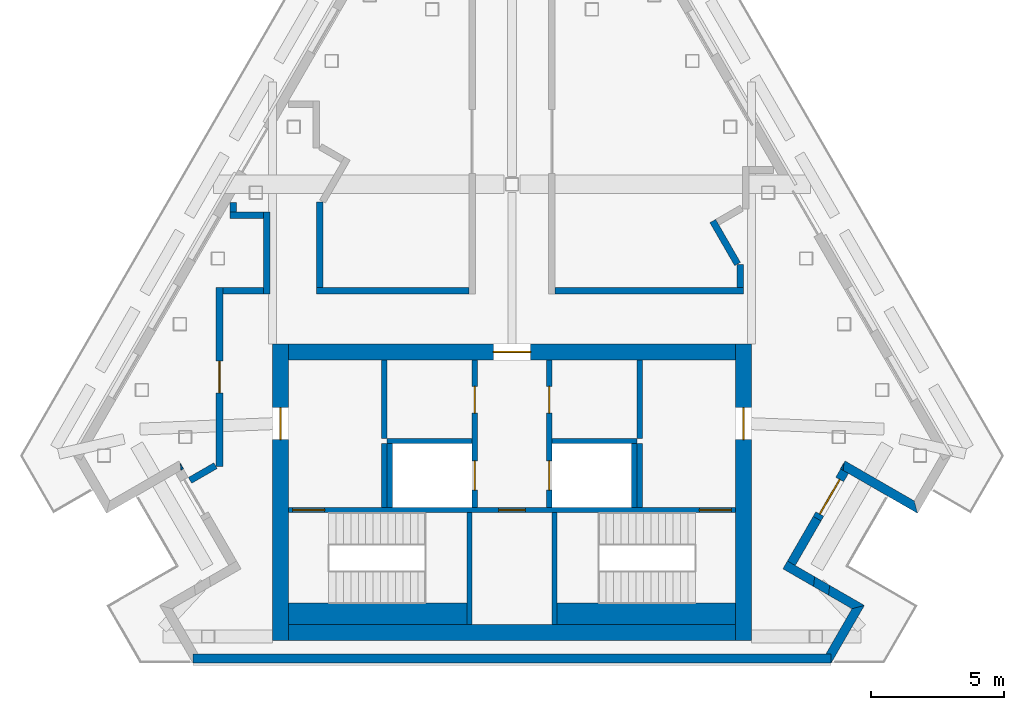
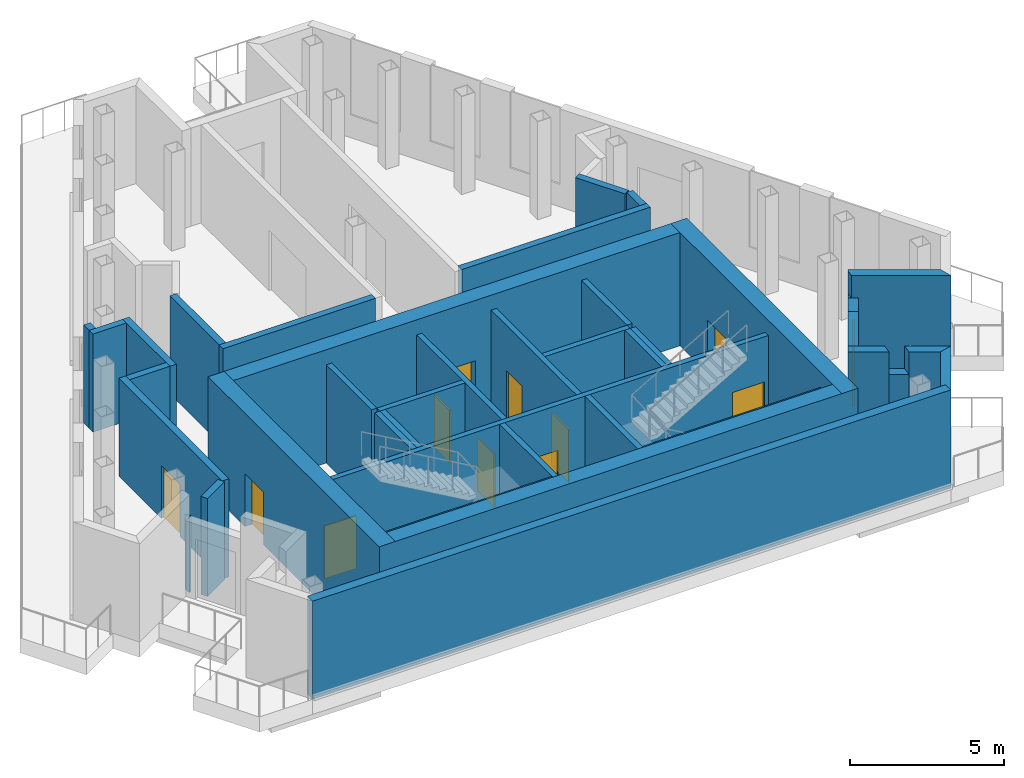
# One storey, part 2 of 4: 40 walls, 12 doors, 12 openings.
"""IFC4 building model written with IfcOpenShell, lengths in metres."""

from ifc_helpers import new_model, si_unit, direction, frame, frame_2d, origin, place, context, subcontext, project, spatial, polyline, rectangle, outline, extrude, material, layer, layer_set, type_object, element, fill, save


model = new_model("IFC4")

# Units and contexts
model_context = context("Model", 3, precision=1e-05, world=origin(), true_north=direction((0.0, 1.0)))
body_context = subcontext(model_context, "Body", "Model", "MODEL_VIEW")
ifc_project = project(units=[si_unit("LENGTHUNIT", "METRE"), si_unit("AREAUNIT", "SQUARE_METRE"), si_unit("VOLUMEUNIT", "CUBIC_METRE"), si_unit("PLANEANGLEUNIT", "RADIAN"), si_unit("MASSUNIT", "GRAM", prefix="KILO")], contexts=[model_context])

# Site, building, storey
site_placement = place(None, origin())
site = spatial("IfcSite", under=ifc_project, at=site_placement, CompositionType="ELEMENT")
building_placement = place(site_placement, origin())
building = spatial("IfcBuilding", under=site, at=building_placement, Name="Fogline Exchange Tower", CompositionType="ELEMENT")
storey_placement = place(building_placement, frame((0.0, 0.0, 355.10009765625)))
storey = spatial("IfcBuildingStorey", under=building, at=storey_placement, Name="L80", CompositionType="ELEMENT", Elevation=355.10009765625)

# Wall, openings, doors
ifc_material_1 = material(Name="Concrete C40", Category="concrete")
ifc_layer_1 = layer(ifc_material_1, 0.199951171875)
ifc_layer_set_1 = layer_set([ifc_layer_1], Name="CW20")
wall_type_1 = type_object("IfcWallType", Name="CW20", PredefinedType="SOLIDWALL", material=ifc_layer_set_1)
wall_1_placement = place(storey_placement, frame((-1.39990234375, 5.85009765625, 0.0), z_axis=(0.0, 0.0, 1.0), x_axis=(0.0, 1.0, 0.0)))
wall_1 = element("IfcWall", 1, at=wall_1_placement, inside=storey, type_object=wall_type_1, Name="Lift lobby wall", PredefinedType="SOLIDWALL", context=body_context, shape_type="SweptSolid", body=[
    extrude(rectangle(XDim=5.5498046875, YDim=0.199951171875, at=frame_2d((2.77490234375, 0.0))), origin(), (0.0, 0.0, 1.0), 3.89990234375),
])
opening_1_placement = place(wall_1_placement, frame((0.64990234375, 0.0, 0.0)))
opening_1 = element("IfcOpeningElement", 2, at=opening_1_placement, cuts=wall_1, Name="Opening L80-LD01", PredefinedType="OPENING", context=body_context, shape_type="SweptSolid", body=[
    extrude(rectangle(XDim=1.10009765625, YDim=2.10009765625, at=frame_2d((0.550048828125, 1.050048828125))), frame((0.0, 0.10986328125, 0.0), z_axis=(0.0, -1.0, 0.0), x_axis=(1.0, 0.0, 0.0)), (0.0, 0.0, 1.0), 0.219970703125),
])
opening_2_placement = place(wall_1_placement, frame((3.550048828125, 0.0, 0.0)))
opening_2 = element("IfcOpeningElement", 3, at=opening_2_placement, cuts=wall_1, Name="Opening L80-C004", PredefinedType="OPENING", context=body_context, shape_type="SweptSolid", body=[
    extrude(rectangle(XDim=1.0, YDim=2.10009765625, at=frame_2d((0.5, 1.050048828125))), frame((0.0, 0.10986328125, 0.0), z_axis=(0.0, -1.0, 0.0), x_axis=(1.0, 0.0, 0.0)), (0.0, 0.0, 1.0), 0.219970703125),
])
ifc_material_2 = material(Name="Steel and timber fire door", Category="steel")
door_type_1 = type_object("IfcDoorType", Name="D-RM1", OperationType="SINGLE_SWING_LEFT", PredefinedType="DOOR", material=ifc_material_2)
door_1_placement = place(opening_2_placement, origin())
door_1 = element("IfcDoor", 4, at=door_1_placement, inside=storey, type_object=door_type_1, Name="Door to store", OperationType="SINGLE_SWING_LEFT", OverallHeight=2.10009765625, OverallWidth=1.0, PredefinedType="DOOR", context=body_context, shape_type="SweptSolid", body=[
    extrude(rectangle(XDim=1.0, YDim=2.10009765625, at=frame_2d((0.5, 1.050048828125))), frame((0.0, 0.02490234375, 0.0), z_axis=(0.0, -1.0, 0.0), x_axis=(1.0, 0.0, 0.0)), (0.0, 0.0, 1.0), 0.050048828125),
])
fill(opening_2, door_1)
door_type_2 = type_object("IfcDoorType", Name="LD2", OperationType="SLIDING_TO_RIGHT", PredefinedType="DOOR", material=ifc_material_2)
door_2_placement = place(opening_1_placement, origin())
door_2 = element("IfcDoor", 5, at=door_2_placement, inside=storey, type_object=door_type_2, Name="Landing door FF1", OperationType="SLIDING_TO_RIGHT", OverallHeight=2.10009765625, OverallWidth=1.10009765625, PredefinedType="DOOR", context=body_context, shape_type="SweptSolid", body=[
    extrude(rectangle(XDim=1.10009765625, YDim=2.10009765625, at=frame_2d((0.550048828125, 1.050048828125))), frame((0.0, 0.02490234375, 0.0), z_axis=(0.0, -1.0, 0.0), x_axis=(1.0, 0.0, 0.0)), (0.0, 0.0, 1.0), 0.050048828125),
])
fill(opening_1, door_2)

wall_2_placement = place(storey_placement, frame((1.39990234375, 5.85009765625, 0.0), z_axis=(0.0, 0.0, 1.0), x_axis=(0.0, 1.0, 0.0)))
wall_2 = element("IfcWall", 6, at=wall_2_placement, inside=storey, type_object=wall_type_1, Name="Lift lobby wall", PredefinedType="SOLIDWALL", context=body_context, shape_type="SweptSolid", body=[
    extrude(rectangle(XDim=5.5498046875, YDim=0.199951171875, at=frame_2d((2.77490234375, 0.0))), origin(), (0.0, 0.0, 1.0), 3.89990234375),
])
opening_3_placement = place(wall_2_placement, frame((0.64990234375, 0.0, 0.0)))
opening_3 = element("IfcOpeningElement", 7, at=opening_3_placement, cuts=wall_2, Name="Opening L80-LD02", PredefinedType="OPENING", context=body_context, shape_type="SweptSolid", body=[
    extrude(rectangle(XDim=1.10009765625, YDim=2.10009765625, at=frame_2d((0.550048828125, 1.050048828125))), frame((0.0, 0.10986328125, 0.0), z_axis=(0.0, -1.0, 0.0), x_axis=(1.0, 0.0, 0.0)), (0.0, 0.0, 1.0), 0.219970703125),
])
opening_4_placement = place(wall_2_placement, frame((3.550048828125, 0.0, 0.0)))
opening_4 = element("IfcOpeningElement", 8, at=opening_4_placement, cuts=wall_2, Name="Opening L80-C007", PredefinedType="OPENING", context=body_context, shape_type="SweptSolid", body=[
    extrude(rectangle(XDim=1.0, YDim=2.10009765625, at=frame_2d((0.5, 1.050048828125))), frame((0.0, 0.10986328125, 0.0), z_axis=(0.0, -1.0, 0.0), x_axis=(1.0, 0.0, 0.0)), (0.0, 0.0, 1.0), 0.219970703125),
])
door_3_placement = place(opening_4_placement, frame((1.0, 0.0, 0.0), z_axis=(0.0, 0.0, 1.0), x_axis=(-1.0, 0.0, 0.0)))
door_3 = element("IfcDoor", 9, at=door_3_placement, inside=storey, type_object=door_type_1, Name="Door to store", OperationType="SINGLE_SWING_RIGHT", OverallHeight=2.10009765625, OverallWidth=1.0, PredefinedType="DOOR", context=body_context, shape_type="SweptSolid", body=[
    extrude(rectangle(XDim=1.0, YDim=2.10009765625, at=frame_2d((0.5, 1.050048828125))), frame((0.0, 0.02490234375, 0.0), z_axis=(0.0, -1.0, 0.0), x_axis=(1.0, 0.0, 0.0)), (0.0, 0.0, 1.0), 0.050048828125),
])
fill(opening_4, door_3)
door_4_placement = place(opening_3_placement, origin())
door_4 = element("IfcDoor", 10, at=door_4_placement, inside=storey, type_object=door_type_2, Name="Landing door FF2", OperationType="SLIDING_TO_RIGHT", OverallHeight=2.10009765625, OverallWidth=1.10009765625, PredefinedType="DOOR", context=body_context, shape_type="SweptSolid", body=[
    extrude(rectangle(XDim=1.10009765625, YDim=2.10009765625, at=frame_2d((0.550048828125, 1.050048828125))), frame((0.0, 0.02490234375, 0.0), z_axis=(0.0, -1.0, 0.0), x_axis=(1.0, 0.0, 0.0)), (0.0, 0.0, 1.0), 0.050048828125),
])
fill(opening_3, door_4)

# Walls
for number, where, z_axis, x_axis, name in (
    (11, (-4.60009765625, 5.85009765625, 0.0), (0.0, 0.0, 1.0), (0.0, 1.0, 0.0), "Lift shaft wall"),
    (12, (4.60009765625, 5.85009765625, 0.0), (0.0, 0.0, 1.0), (0.0, 1.0, 0.0), "Lift shaft wall"),
):
    element("IfcWall", number, at=place(storey_placement, frame(where, z_axis=z_axis, x_axis=x_axis)), inside=storey, type_object=wall_type_1, Name=name, PredefinedType="SOLIDWALL", context=body_context, shape_type="SweptSolid", body=[
        extrude(rectangle(XDim=2.39990234375, YDim=0.199951171875, at=frame_2d((1.199951171875, 0.0))), origin(), (0.0, 0.0, 1.0), 3.89990234375),
    ])
for number, where, z_axis, x_axis, name in (
    (13, (-4.699951171875, 8.35009765625, 0.0), (0.0, 0.0, 1.0), (1.0, 0.0, 0.0), "Lift shaft wall"),
    (14, (1.5, 8.35009765625, 0.0), (0.0, 0.0, 1.0), (1.0, 0.0, 0.0), "Lift shaft wall"),
):
    element("IfcWall", number, at=place(storey_placement, frame(where, z_axis=z_axis, x_axis=x_axis)), inside=storey, type_object=wall_type_1, Name=name, PredefinedType="SOLIDWALL", context=body_context, shape_type="SweptSolid", body=[
        extrude(rectangle(XDim=3.199951171875, YDim=0.199951171875, at=frame_2d((1.60009765625, 0.0))), origin(), (0.0, 0.0, 1.0), 3.89990234375),
    ])
for number, where, z_axis, x_axis, name in (
    (15, (-4.800048828125, 8.449951171875, 0.0), (0.0, 0.0, 1.0), (0.0, 1.0, 0.0), "Room wall"),
    (16, (4.800048828125, 8.449951171875, 0.0), (0.0, 0.0, 1.0), (0.0, 1.0, 0.0), "Room wall"),
):
    element("IfcWall", number, at=place(storey_placement, frame(where, z_axis=z_axis, x_axis=x_axis)), inside=storey, type_object=wall_type_1, Name=name, PredefinedType="SOLIDWALL", context=body_context, shape_type="SweptSolid", body=[
        extrude(rectangle(XDim=2.949951171875, YDim=0.199951171875, at=frame_2d((1.47509765625, 0.0))), origin(), (0.0, 0.0, 1.0), 3.89990234375),
    ])
for number, where, z_axis, x_axis, name in (
    (17, (-4.800048828125, 5.85009765625, 0.0), (0.0, 0.0, 1.0), (0.0, 1.0, 0.0), "Room wall"),
    (18, (4.800048828125, 5.85009765625, 0.0), (0.0, 0.0, 1.0), (0.0, 1.0, 0.0), "Room wall"),
):
    element("IfcWall", number, at=place(storey_placement, frame(where, z_axis=z_axis, x_axis=x_axis)), inside=storey, type_object=wall_type_1, Name=name, PredefinedType="SOLIDWALL", context=body_context, shape_type="SweptSolid", body=[
        extrude(rectangle(XDim=2.39990234375, YDim=0.199951171875, at=frame_2d((1.199951171875, 0.0))), origin(), (0.0, 0.0, 1.0), 3.89990234375),
    ])

# Wall, openings, doors
ifc_layer_2 = layer(ifc_material_1, 0.199951171875)
ifc_layer_set_2 = layer_set([ifc_layer_2], Name="CW20R")
wall_type_2 = type_object("IfcWallType", Name="CW20R", PredefinedType="SOLIDWALL", material=ifc_layer_set_2)
wall_3_placement = place(storey_placement, frame((-8.39990234375, 5.75, -0.60009765625), z_axis=(0.0, 0.0, 1.0), x_axis=(1.0, 0.0, 0.0)))
wall_3 = element("IfcWall", 19, at=wall_3_placement, inside=storey, type_object=wall_type_2, Name="Stair enclosure wall", PredefinedType="SOLIDWALL", context=body_context, shape_type="SweptSolid", body=[
    extrude(rectangle(XDim=16.7998046875, YDim=0.199951171875, at=frame_2d((8.39990234375, 0.0))), origin(), (0.0, 0.0, 1.0), 4.5),
])
opening_5_placement = place(wall_3_placement, frame((7.89990234375, 0.0, 0.60009765625)))
opening_5 = element("IfcOpeningElement", 20, at=opening_5_placement, cuts=wall_3, Name="Opening L80-C001", PredefinedType="OPENING", context=body_context, shape_type="SweptSolid", body=[
    extrude(rectangle(XDim=1.0, YDim=2.10009765625, at=frame_2d((0.5, 1.050048828125))), frame((0.0, 0.10986328125, 0.0), z_axis=(0.0, -1.0, 0.0), x_axis=(1.0, 0.0, 0.0)), (0.0, 0.0, 1.0), 0.219970703125),
])
opening_6_placement = place(wall_3_placement, frame((0.14990234375, 0.0, 0.60009765625)))
opening_6 = element("IfcOpeningElement", 21, at=opening_6_placement, cuts=wall_3, Name="Opening L80-C003", PredefinedType="OPENING", context=body_context, shape_type="SweptSolid", body=[
    extrude(rectangle(XDim=1.199951171875, YDim=2.10009765625, at=frame_2d((0.60009765625, 1.050048828125))), frame((0.0, 0.10986328125, 0.0), z_axis=(0.0, -1.0, 0.0), x_axis=(1.0, 0.0, 0.0)), (0.0, 0.0, 1.0), 0.219970703125),
])
opening_7_placement = place(wall_3_placement, frame((15.449951171875, 0.0, 0.60009765625)))
opening_7 = element("IfcOpeningElement", 22, at=opening_7_placement, cuts=wall_3, Name="Opening L80-C006", PredefinedType="OPENING", context=body_context, shape_type="SweptSolid", body=[
    extrude(rectangle(XDim=1.199951171875, YDim=2.10009765625, at=frame_2d((0.60009765625, 1.050048828125))), frame((0.0, 0.10986328125, 0.0), z_axis=(0.0, -1.0, 0.0), x_axis=(1.0, 0.0, 0.0)), (0.0, 0.0, 1.0), 0.219970703125),
])
door_5_placement = place(opening_5_placement, frame((1.0, 0.0, 0.0), z_axis=(0.0, 0.0, 1.0), x_axis=(-1.0, 0.0, 0.0)))
door_5 = element("IfcDoor", 23, at=door_5_placement, inside=storey, type_object=door_type_1, Name="Door to Riser Room", OperationType="SINGLE_SWING_RIGHT", OverallHeight=2.10009765625, OverallWidth=1.0, PredefinedType="DOOR", context=body_context, shape_type="SweptSolid", body=[
    extrude(rectangle(XDim=1.0, YDim=2.10009765625, at=frame_2d((0.5, 1.050048828125))), frame((0.0, 0.02490234375, 0.0), z_axis=(0.0, -1.0, 0.0), x_axis=(1.0, 0.0, 0.0)), (0.0, 0.0, 1.0), 0.050048828125),
])
fill(opening_5, door_5)
door_type_3 = type_object("IfcDoorType", Name="D-ST1", OperationType="SINGLE_SWING_LEFT", PredefinedType="DOOR", material=ifc_material_2)
door_6_placement = place(opening_6_placement, frame((1.199951171875, 0.0, 0.0), z_axis=(0.0, 0.0, 1.0), x_axis=(-1.0, 0.0, 0.0)))
door_6 = element("IfcDoor", 24, at=door_6_placement, inside=storey, type_object=door_type_3, Name="Stair door CS1", OperationType="SINGLE_SWING_RIGHT", OverallHeight=2.10009765625, OverallWidth=1.199951171875, PredefinedType="DOOR", context=body_context, shape_type="SweptSolid", body=[
    extrude(rectangle(XDim=1.199951171875, YDim=2.10009765625, at=frame_2d((0.60009765625, 1.050048828125))), frame((0.0, 0.02490234375, 0.0), z_axis=(0.0, -1.0, 0.0), x_axis=(1.0, 0.0, 0.0)), (0.0, 0.0, 1.0), 0.050048828125),
])
fill(opening_6, door_6)
door_7_placement = place(opening_7_placement, frame((1.199951171875, 0.0, 0.0), z_axis=(0.0, 0.0, 1.0), x_axis=(-1.0, 0.0, 0.0)))
door_7 = element("IfcDoor", 25, at=door_7_placement, inside=storey, type_object=door_type_3, Name="Stair door CS2", OperationType="SINGLE_SWING_LEFT", OverallHeight=2.10009765625, OverallWidth=1.199951171875, PredefinedType="DOOR", context=body_context, shape_type="SweptSolid", body=[
    extrude(rectangle(XDim=1.199951171875, YDim=2.10009765625, at=frame_2d((0.60009765625, 1.050048828125))), frame((0.0, 0.02490234375, 0.0), z_axis=(0.0, -1.0, 0.0), x_axis=(1.0, 0.0, 0.0)), (0.0, 0.0, 1.0), 0.050048828125),
])
fill(opening_7, door_7)

# Walls
for number, where, z_axis, x_axis, name in (
    (26, (-1.60009765625, 1.449951171875, -0.60009765625), (0.0, 0.0, 1.0), (0.0, 1.0, 0.0), "Stair enclosure wall"),
    (27, (1.60009765625, 1.449951171875, -0.60009765625), (0.0, 0.0, 1.0), (0.0, 1.0, 0.0), "Stair enclosure wall"),
):
    element("IfcWall", number, at=place(storey_placement, frame(where, z_axis=z_axis, x_axis=x_axis)), inside=storey, type_object=wall_type_2, Name=name, PredefinedType="SOLIDWALL", context=body_context, shape_type="SweptSolid", body=[
        extrude(rectangle(XDim=4.199951171875, YDim=0.199951171875, at=frame_2d((2.10009765625, 0.0))), origin(), (0.0, 0.0, 1.0), 4.5),
    ])
ifc_layer_3 = layer(ifc_material_1, 0.800048828125)
ifc_layer_set_3 = layer_set([ifc_layer_3], Name="CW80R")
wall_type_3 = type_object("IfcWallType", Name="CW80R", PredefinedType="SOLIDWALL", material=ifc_layer_set_3)
for number, where, z_axis, x_axis, name in (
    (28, (-8.39990234375, 1.85009765625, -0.60009765625), (0.0, 0.0, 1.0), (1.0, 0.0, 0.0), "Stair enclosure wall"),
    (29, (1.699951171875, 1.85009765625, -0.60009765625), (0.0, 0.0, 1.0), (1.0, 0.0, 0.0), "Stair enclosure wall"),
):
    element("IfcWall", number, at=place(storey_placement, frame(where, z_axis=z_axis, x_axis=x_axis)), inside=storey, type_object=wall_type_3, Name=name, PredefinedType="SOLIDWALL", context=body_context, shape_type="SweptSolid", body=[
        extrude(rectangle(XDim=6.699951171875, YDim=0.800048828125, at=frame_2d((3.35009765625, 0.0))), origin(), (0.0, 0.0, 1.0), 4.5),
    ])
ifc_material_3 = material(Name="Brick masonry", Category="masonry")
ifc_layer_4 = layer(ifc_material_3, 0.340087890625)
ifc_layer_set_4 = layer_set([ifc_layer_4], Name="FW1")
wall_type_4 = type_object("IfcWallType", Name="FW1", PredefinedType="SOLIDWALL", material=ifc_layer_set_4)
wall_4_placement = place(storey_placement, origin())
element("IfcWall", 30, at=wall_4_placement, inside=storey, type_object=wall_type_4, Name="Brick wall L80 SW-s1", PredefinedType="SOLIDWALL", context=body_context, shape_type="SweptSolid", body=[
    extrude(outline(polyline([(-12.356689453125, 7.298828125), (-12.4443359375, 7.248291015625), (-12.473388671875, 7.501220703125), (-12.356689453125, 7.298828125)])), origin(), (0.0, 0.0, 1.0), 3.0),
])
wall_5_placement = place(storey_placement, frame((-12.0, 0.169921875, 0.0), z_axis=(0.0, 0.0, 1.0), x_axis=(1.0, 0.0, 0.0)))
element("IfcWall", 31, at=wall_5_placement, inside=storey, type_object=wall_type_4, Name="Brick wall L80 S", PredefinedType="SOLIDWALL", context=body_context, shape_type="SweptSolid", body=[
    extrude(rectangle(XDim=24.0, YDim=0.340087890625, at=frame_2d((12.0, 0.0))), origin(), (0.0, 0.0, 1.0), 3.89990234375),
])
wall_6_placement = place(storey_placement, origin())
element("IfcWall", 32, at=wall_6_placement, inside=storey, type_object=wall_type_4, Name="Brick wall L80 SE-c1", PredefinedType="SOLIDWALL", context=body_context, shape_type="SweptSolid", body=[
    extrude(outline(polyline([(13.2509765625, 2.165771484375), (12.0, -0.001220703125), (11.99951171875, -0.0009765625), (11.99951171875, 0.33935546875), (11.802734375, 0.33935546875), (12.78515625, 2.041015625), (13.2509765625, 2.166015625), (13.2509765625, 2.165771484375)])), origin(), (0.0, 0.0, 1.0), 3.89990234375),
])
wall_7_placement = place(storey_placement, origin())
element("IfcWall", 33, at=wall_7_placement, inside=storey, type_object=wall_type_4, Name="Brick wall L80 SE-s1", PredefinedType="SOLIDWALL", context=body_context, shape_type="SweptSolid", body=[
    extrude(outline(polyline([(11.945556640625, 2.9189453125), (11.903076171875, 2.549560546875), (11.336669921875, 2.87646484375), (11.37939453125, 3.245849609375), (11.945556640625, 2.9189453125)])), origin(), (0.0, 0.0, 1.0), 3.0),
])
wall_8_placement = place(storey_placement, origin())
element("IfcWall", 34, at=wall_8_placement, inside=storey, type_object=wall_type_4, Name="Brick wall L80 SE-s1", PredefinedType="SOLIDWALL", context=body_context, shape_type="SweptSolid", body=[
    extrude(outline(polyline([(10.357177734375, 3.8359375), (10.652099609375, 3.66552734375), (11.37939453125, 3.245849609375), (11.336669921875, 2.87646484375), (10.186767578125, 3.540283203125), (10.357177734375, 3.8359375)])), origin(), (0.0, 0.0, 1.0), 3.89990234375),
])
wall_9_placement = place(storey_placement, origin())
element("IfcWall", 35, at=wall_9_placement, inside=storey, type_object=wall_type_4, Name="Brick wall L80 SE-s1", PredefinedType="SOLIDWALL", context=body_context, shape_type="SweptSolid", body=[
    extrude(outline(polyline([(13.251220703125, 2.1650390625), (13.251220703125, 2.164794921875), (12.785400390625, 2.0400390625), (11.903076171875, 2.549560546875), (11.945556640625, 2.9189453125), (13.251220703125, 2.1650390625)])), origin(), (0.0, 0.0, 1.0), 3.89990234375),
])
wall_10_placement = place(storey_placement, frame((10.504638671875, 3.75, 0.0), z_axis=(0.0, 0.0, 1.0), x_axis=(0.499973253207, 0.866040845502, 0.0)))
element("IfcWall", 36, at=wall_10_placement, inside=storey, type_object=wall_type_4, Name="Brick wall L80 SE-bk", PredefinedType="SOLIDWALL", context=body_context, shape_type="SweptSolid", body=[
    extrude(rectangle(XDim=1.93798828125, YDim=0.340087890625, at=frame_2d((0.968994140625, 0.0))), origin(), (0.0, 0.0, 1.0), 3.89990234375),
])

# Wall, opening, door
wall_11_placement = place(storey_placement, frame((11.4736328125, 5.428466796875, 0.0), z_axis=(0.0, 0.0, 1.0), x_axis=(0.500023100387, 0.866012066359, 0.0)))
wall_11 = element("IfcWall", 37, at=wall_11_placement, inside=storey, type_object=wall_type_4, Name="Brick wall L80 SE-bk", PredefinedType="SOLIDWALL", context=body_context, shape_type="SweptSolid", body=[
    extrude(rectangle(XDim=2.06201171875, YDim=0.340087890625, at=frame_2d((1.031005859375, 0.0))), origin(), (0.0, 0.0, 1.0), 3.0),
])
opening_8_placement = place(wall_11_placement, frame((0.199951171875, 0.0, 0.0)))
opening_8 = element("IfcOpeningElement", 38, at=opening_8_placement, cuts=wall_11, Name="Opening L80-E081", PredefinedType="OPENING", context=body_context, shape_type="SweptSolid", body=[
    extrude(rectangle(XDim=1.5, YDim=2.39990234375, at=frame_2d((0.75, 1.199951171875))), frame((0.0, 0.18017578125, 0.0), z_axis=(0.0, -1.0, 0.0), x_axis=(1.0, 0.0, 0.0)), (0.0, 0.0, 1.0), 0.360107421875),
])
ifc_material_4 = material(Name="Aluminium and glass", Category="aluminium")
door_type_4 = type_object("IfcDoorType", Name="ED4", OperationType="SINGLE_SWING_LEFT", PredefinedType="DOOR", material=ifc_material_4)
door_8_placement = place(opening_8_placement, frame((1.5, 0.0, 0.0), z_axis=(0.0, 0.0, 1.0), x_axis=(-1.0, 0.0, 0.0)))
door_8 = element("IfcDoor", 39, at=door_8_placement, inside=storey, type_object=door_type_4, Name="Balcony door L80 SE", OperationType="DOUBLE_DOOR_SINGLE_SWING", OverallHeight=2.39990234375, OverallWidth=1.5, PredefinedType="DOOR", context=body_context, shape_type="SweptSolid", body=[
    extrude(rectangle(XDim=1.5, YDim=2.39990234375, at=frame_2d((0.75, 1.199951171875))), frame((0.0, 0.02490234375, 0.0), z_axis=(0.0, -1.0, 0.0), x_axis=(1.0, 0.0, 0.0)), (0.0, 0.0, 1.0), 0.050048828125),
])
fill(opening_8, door_8)

# Walls
wall_12_placement = place(storey_placement, origin())
element("IfcWall", 40, at=wall_12_placement, inside=storey, type_object=wall_type_4, Name="Brick wall L80 SE-s2", PredefinedType="SOLIDWALL", context=body_context, shape_type="SweptSolid", body=[
    extrude(outline(polyline([(12.356689453125, 7.298828125), (12.473388671875, 7.501220703125), (12.4443359375, 7.248291015625), (12.356689453125, 7.298828125)])), origin(), (0.0, 0.0, 1.0), 3.0),
])
wall_13_placement = place(storey_placement, origin())
element("IfcWall", 41, at=wall_13_placement, inside=storey, type_object=wall_type_4, Name="Brick wall L80 SE-s2", PredefinedType="SOLIDWALL", context=body_context, shape_type="SweptSolid", body=[
    extrude(outline(polyline([(12.651611328125, 7.128662109375), (12.4443359375, 7.248291015625), (12.473388671875, 7.501220703125), (12.52734375, 7.594482421875), (15.1259765625, 6.093994140625), (15.250732421875, 5.62841796875), (15.25048828125, 5.628173828125), (12.651611328125, 7.128662109375)])), origin(), (0.0, 0.0, 1.0), 3.89990234375),
])
ifc_layer_5 = layer(ifc_material_1, 0.25)
ifc_layer_set_5 = layer_set([ifc_layer_5], Name="PP3")
wall_type_5 = type_object("IfcWallType", Name="PP3", PredefinedType="SOLIDWALL", material=ifc_layer_set_5)
wall_14_placement = place(storey_placement, frame((1.625, 14.0, 0.0), z_axis=(0.0, 0.0, 1.0), x_axis=(1.0, 0.0, 0.0)))
element("IfcWall", 42, at=wall_14_placement, inside=storey, type_object=wall_type_5, Name="PP3 partition", PredefinedType="SOLIDWALL", context=body_context, shape_type="SweptSolid", body=[
    extrude(rectangle(XDim=7.085205078125, YDim=0.25, at=frame_2d((3.54248046875, 0.0))), origin(), (0.0, 0.0, 1.0), 3.89990234375),
])

# Wall, opening, door
wall_15_placement = place(storey_placement, frame((-11.0, 7.380615234375, 0.0), z_axis=(0.0, 0.0, 1.0), x_axis=(0.0, 1.0, 0.0)))
wall_15 = element("IfcWall", 43, at=wall_15_placement, inside=storey, type_object=wall_type_5, Name="PP3 partition", PredefinedType="SOLIDWALL", context=body_context, shape_type="SweptSolid", body=[
    extrude(rectangle(XDim=6.744384765625, YDim=0.25, at=frame_2d((3.3720703125, 0.0))), origin(), (0.0, 0.0, 1.0), 3.89990234375),
])
opening_9_placement = place(wall_15_placement, frame((2.772216796875, 0.0, 0.0)))
opening_9 = element("IfcOpeningElement", 44, at=opening_9_placement, cuts=wall_15, Name="Opening L80-D003", PredefinedType="OPENING", context=body_context, shape_type="SweptSolid", body=[
    extrude(rectangle(XDim=1.199951171875, YDim=2.10009765625, at=frame_2d((0.60009765625, 1.050048828125))), frame((0.0, 0.135009765625, 0.0), z_axis=(0.0, -1.0, 0.0), x_axis=(1.0, 0.0, 0.0)), (0.0, 0.0, 1.0), 0.27001953125),
])
ifc_material_5 = material(Name="Steel Q235B", Category="steel")
door_type_5 = type_object("IfcDoorType", Name="PD7", OperationType="SINGLE_SWING_LEFT", PredefinedType="DOOR", material=ifc_material_5)
door_9_placement = place(opening_9_placement, origin())
door_9 = element("IfcDoor", 45, at=door_9_placement, inside=storey, type_object=door_type_5, Name="L80-D003", OperationType="SINGLE_SWING_RIGHT", OverallHeight=2.10009765625, OverallWidth=1.199951171875, PredefinedType="DOOR", context=body_context, shape_type="SweptSolid", body=[
    extrude(rectangle(XDim=1.199951171875, YDim=2.10009765625, at=frame_2d((0.60009765625, 1.050048828125))), frame((0.0, 0.02490234375, 0.0), z_axis=(0.0, -1.0, 0.0), x_axis=(1.0, 0.0, 0.0)), (0.0, 0.0, 1.0), 0.050048828125),
])
fill(opening_9, door_9)

# Walls
wall_16_placement = place(storey_placement, frame((-7.352783203125, 14.0, 0.0), z_axis=(0.0, 0.0, 1.0), x_axis=(1.0, 0.0, 0.0)))
element("IfcWall", 46, at=wall_16_placement, inside=storey, type_object=wall_type_5, Name="PP3 partition", PredefinedType="SOLIDWALL", context=body_context, shape_type="SweptSolid", body=[
    extrude(rectangle(XDim=5.727783203125, YDim=0.25, at=frame_2d((2.86376953125, 0.0))), origin(), (0.0, 0.0, 1.0), 3.89990234375),
])
wall_17_placement = place(storey_placement, frame((-7.227783203125, 17.340087890625, 0.0), z_axis=(0.0, 0.0, 1.0), x_axis=(0.0, -1.0, 0.0)))
element("IfcWall", 47, at=wall_17_placement, inside=storey, type_object=wall_type_5, Name="PP3 partition", PredefinedType="SOLIDWALL", context=body_context, shape_type="SweptSolid", body=[
    extrude(rectangle(XDim=3.215087890625, YDim=0.25, at=frame_2d((1.607421875, 0.0))), origin(), (0.0, 0.0, 1.0), 3.89990234375),
])
wall_18_placement = place(storey_placement, frame((-9.227783203125, 13.875, 0.0), z_axis=(0.0, 0.0, 1.0), x_axis=(0.0, 1.0, 0.0)))
element("IfcWall", 48, at=wall_18_placement, inside=storey, type_object=wall_type_5, Name="PP3 partition", PredefinedType="SOLIDWALL", context=body_context, shape_type="SweptSolid", body=[
    extrude(rectangle(XDim=3.08642578125, YDim=0.25, at=frame_2d((1.543212890625, 0.0))), origin(), (0.0, 0.0, 1.0), 3.89990234375),
])
wall_19_placement = place(storey_placement, frame((8.480712890625, 15.00439453125, 0.0), z_axis=(0.0, 0.0, 1.0), x_axis=(-0.500111732142, 0.865960885591, 0.0)))
element("IfcWall", 49, at=wall_19_placement, inside=storey, type_object=wall_type_5, Name="PP3 partition", PredefinedType="SOLIDWALL", context=body_context, shape_type="SweptSolid", body=[
    extrude(rectangle(XDim=1.86376953125, YDim=0.25, at=frame_2d((0.931884765625, 0.0))), origin(), (0.0, 0.0, 1.0), 3.89990234375),
])
wall_20_placement = place(storey_placement, frame((-10.875, 14.0, 0.0), z_axis=(0.0, 0.0, 1.0), x_axis=(1.0, 0.0, 0.0)))
element("IfcWall", 50, at=wall_20_placement, inside=storey, type_object=wall_type_5, Name="PP3 partition", PredefinedType="SOLIDWALL", context=body_context, shape_type="SweptSolid", body=[
    extrude(rectangle(XDim=1.522216796875, YDim=0.25, at=frame_2d((0.76123046875, 0.0))), origin(), (0.0, 0.0, 1.0), 3.89990234375),
])
wall_21_placement = place(storey_placement, frame((-9.35302734375, 16.83642578125, 0.0), z_axis=(0.0, 0.0, 1.0), x_axis=(-1.0, 0.0, 0.0)))
element("IfcWall", 51, at=wall_21_placement, inside=storey, type_object=wall_type_5, Name="PP3 partition", PredefinedType="SOLIDWALL", context=body_context, shape_type="SweptSolid", body=[
    extrude(rectangle(XDim=1.255859375, YDim=0.25, at=frame_2d((0.6279296875, 0.0))), origin(), (0.0, 0.0, 1.0), 3.89990234375),
])
wall_22_placement = place(storey_placement, frame((-12.107421875, 6.8662109375, 0.0), z_axis=(0.0, 0.0, 1.0), x_axis=(0.866024121142, 0.500002221596, 0.0)))
element("IfcWall", 52, at=wall_22_placement, inside=storey, type_object=wall_type_5, Name="PP3 partition", PredefinedType="SOLIDWALL", context=body_context, shape_type="SweptSolid", body=[
    extrude(rectangle(XDim=1.10791015625, YDim=0.25, at=frame_2d((0.553955078125, 0.0))), origin(), (0.0, 0.0, 1.0), 3.89990234375),
])
wall_23_placement = place(storey_placement, frame((8.585205078125, 14.125, 0.0), z_axis=(0.0, 0.0, 1.0), x_axis=(0.0, 1.0, 0.0)))
element("IfcWall", 53, at=wall_23_placement, inside=storey, type_object=wall_type_5, Name="PP3 partition", PredefinedType="SOLIDWALL", context=body_context, shape_type="SweptSolid", body=[
    extrude(rectangle(XDim=0.864501953125, YDim=0.25, at=frame_2d((0.43212890625, 0.0))), origin(), (0.0, 0.0, 1.0), 3.89990234375),
])
wall_24_placement = place(storey_placement, frame((-10.48388671875, 16.9609375, 0.0), z_axis=(0.0, 0.0, 1.0), x_axis=(0.0, 1.0, 0.0)))
element("IfcWall", 54, at=wall_24_placement, inside=storey, type_object=wall_type_5, Name="PP3 partition", PredefinedType="SOLIDWALL", context=body_context, shape_type="SweptSolid", body=[
    extrude(rectangle(XDim=0.356689453125, YDim=0.25, at=frame_2d((0.17822265625, 0.0))), origin(), (0.0, 0.0, 1.0), 3.89990234375),
])
ifc_material_6 = material(Name="Concrete C50", Category="concrete")
ifc_layer_6 = layer(ifc_material_6, 0.60009765625)
ifc_layer_set_6 = layer_set([ifc_layer_6], Name="SW05")
wall_type_6 = type_object("IfcWallType", Name="SW05", PredefinedType="SHEAR", material=ifc_layer_set_6)
wall_25_placement = place(storey_placement, frame((-9.0, 1.14990234375, 0.0), z_axis=(0.0, 0.0, 1.0), x_axis=(1.0, 0.0, 0.0)))
element("IfcWall", 55, at=wall_25_placement, inside=storey, type_object=wall_type_6, Name="L80-W901", PredefinedType="SHEAR", context=body_context, shape_type="SweptSolid", body=[
    extrude(rectangle(XDim=18.0, YDim=0.60009765625, at=frame_2d((9.0, 0.0))), origin(), (0.0, 0.0, 1.0), 4.5),
])

# Wall, opening, door
wall_26_placement = place(storey_placement, frame((8.699951171875, 0.85009765625, 0.0), z_axis=(0.0, 0.0, 1.0), x_axis=(0.0, 1.0, 0.0)))
wall_26 = element("IfcWall", 56, at=wall_26_placement, inside=storey, type_object=wall_type_6, Name="L80-W902", PredefinedType="SHEAR", context=body_context, shape_type="SweptSolid", body=[
    extrude(rectangle(XDim=11.14990234375, YDim=0.60009765625, at=frame_2d((5.574951171875, 0.0))), origin(), (0.0, 0.0, 1.0), 4.5),
])
opening_10_placement = place(wall_26_placement, frame((7.550048828125, 0.0, 0.0)))
opening_10 = element("IfcOpeningElement", 57, at=opening_10_placement, cuts=wall_26, Name="Opening L80-C005", PredefinedType="OPENING", context=body_context, shape_type="SweptSolid", body=[
    extrude(rectangle(XDim=1.199951171875, YDim=2.10009765625, at=frame_2d((0.60009765625, 1.050048828125))), frame((0.0, 0.31005859375, 0.0), z_axis=(0.0, -1.0, 0.0), x_axis=(1.0, 0.0, 0.0)), (0.0, 0.0, 1.0), 0.6201171875),
])
door_type_6 = type_object("IfcDoorType", Name="D-SV1", OperationType="SINGLE_SWING_LEFT", PredefinedType="DOOR", material=ifc_material_2)
door_10_placement = place(opening_10_placement, origin())
door_10 = element("IfcDoor", 58, at=door_10_placement, inside=storey, type_object=door_type_6, Name="Service door E", OperationType="SINGLE_SWING_RIGHT", OverallHeight=2.10009765625, OverallWidth=1.199951171875, PredefinedType="DOOR", context=body_context, shape_type="SweptSolid", body=[
    extrude(rectangle(XDim=1.199951171875, YDim=2.10009765625, at=frame_2d((0.60009765625, 1.050048828125))), frame((0.0, 0.02490234375, 0.0), z_axis=(0.0, -1.0, 0.0), x_axis=(1.0, 0.0, 0.0)), (0.0, 0.0, 1.0), 0.050048828125),
])
fill(opening_10, door_10)

wall_27_placement = place(storey_placement, frame((9.0, 11.699951171875, 0.0), z_axis=(0.0, 0.0, 1.0), x_axis=(-1.0, 0.0, 0.0)))
wall_27 = element("IfcWall", 59, at=wall_27_placement, inside=storey, type_object=wall_type_6, Name="L80-W903", PredefinedType="SHEAR", context=body_context, shape_type="SweptSolid", body=[
    extrude(rectangle(XDim=18.0, YDim=0.60009765625, at=frame_2d((9.0, 0.0))), origin(), (0.0, 0.0, 1.0), 4.5),
])
opening_11_placement = place(wall_27_placement, frame((8.300048828125, 0.0, 0.0)))
opening_11 = element("IfcOpeningElement", 60, at=opening_11_placement, cuts=wall_27, Name="Opening L80-C008", PredefinedType="OPENING", context=body_context, shape_type="SweptSolid", body=[
    extrude(rectangle(XDim=1.39990234375, YDim=2.10009765625, at=frame_2d((0.699951171875, 1.050048828125))), frame((0.0, 0.31005859375, 0.0), z_axis=(0.0, -1.0, 0.0), x_axis=(1.0, 0.0, 0.0)), (0.0, 0.0, 1.0), 0.6201171875),
])
door_type_7 = type_object("IfcDoorType", Name="D-LB1", OperationType="DOUBLE_DOOR_SINGLE_SWING", PredefinedType="DOOR", material=ifc_material_2)
door_11_placement = place(opening_11_placement, origin())
door_11 = element("IfcDoor", 61, at=door_11_placement, inside=storey, type_object=door_type_7, Name="Protected lobby door", OperationType="DOUBLE_DOOR_SINGLE_SWING", OverallHeight=2.10009765625, OverallWidth=1.39990234375, PredefinedType="DOOR", context=body_context, shape_type="SweptSolid", body=[
    extrude(rectangle(XDim=1.39990234375, YDim=2.10009765625, at=frame_2d((0.699951171875, 1.050048828125))), frame((0.0, 0.02490234375, 0.0), z_axis=(0.0, -1.0, 0.0), x_axis=(1.0, 0.0, 0.0)), (0.0, 0.0, 1.0), 0.050048828125),
])
fill(opening_11, door_11)

wall_28_placement = place(storey_placement, frame((-8.699951171875, 12.0, 0.0), z_axis=(0.0, 0.0, 1.0), x_axis=(0.0, -1.0, 0.0)))
wall_28 = element("IfcWall", 62, at=wall_28_placement, inside=storey, type_object=wall_type_6, Name="L80-W904", PredefinedType="SHEAR", context=body_context, shape_type="SweptSolid", body=[
    extrude(rectangle(XDim=11.14990234375, YDim=0.60009765625, at=frame_2d((5.574951171875, 0.0))), origin(), (0.0, 0.0, 1.0), 4.5),
])
opening_12_placement = place(wall_28_placement, frame((2.39990234375, 0.0, 0.0)))
opening_12 = element("IfcOpeningElement", 63, at=opening_12_placement, cuts=wall_28, Name="Opening L80-C002", PredefinedType="OPENING", context=body_context, shape_type="SweptSolid", body=[
    extrude(rectangle(XDim=1.199951171875, YDim=2.10009765625, at=frame_2d((0.60009765625, 1.050048828125))), frame((0.0, 0.31005859375, 0.0), z_axis=(0.0, -1.0, 0.0), x_axis=(1.0, 0.0, 0.0)), (0.0, 0.0, 1.0), 0.6201171875),
])
door_12_placement = place(opening_12_placement, origin())
door_12 = element("IfcDoor", 64, at=door_12_placement, inside=storey, type_object=door_type_6, Name="Service door W", OperationType="SINGLE_SWING_LEFT", OverallHeight=2.10009765625, OverallWidth=1.199951171875, PredefinedType="DOOR", context=body_context, shape_type="SweptSolid", body=[
    extrude(rectangle(XDim=1.199951171875, YDim=2.10009765625, at=frame_2d((0.60009765625, 1.050048828125))), frame((0.0, 0.02490234375, 0.0), z_axis=(0.0, -1.0, 0.0), x_axis=(1.0, 0.0, 0.0)), (0.0, 0.0, 1.0), 0.050048828125),
])
fill(opening_12, door_12)

save(model, "model.ifc")
